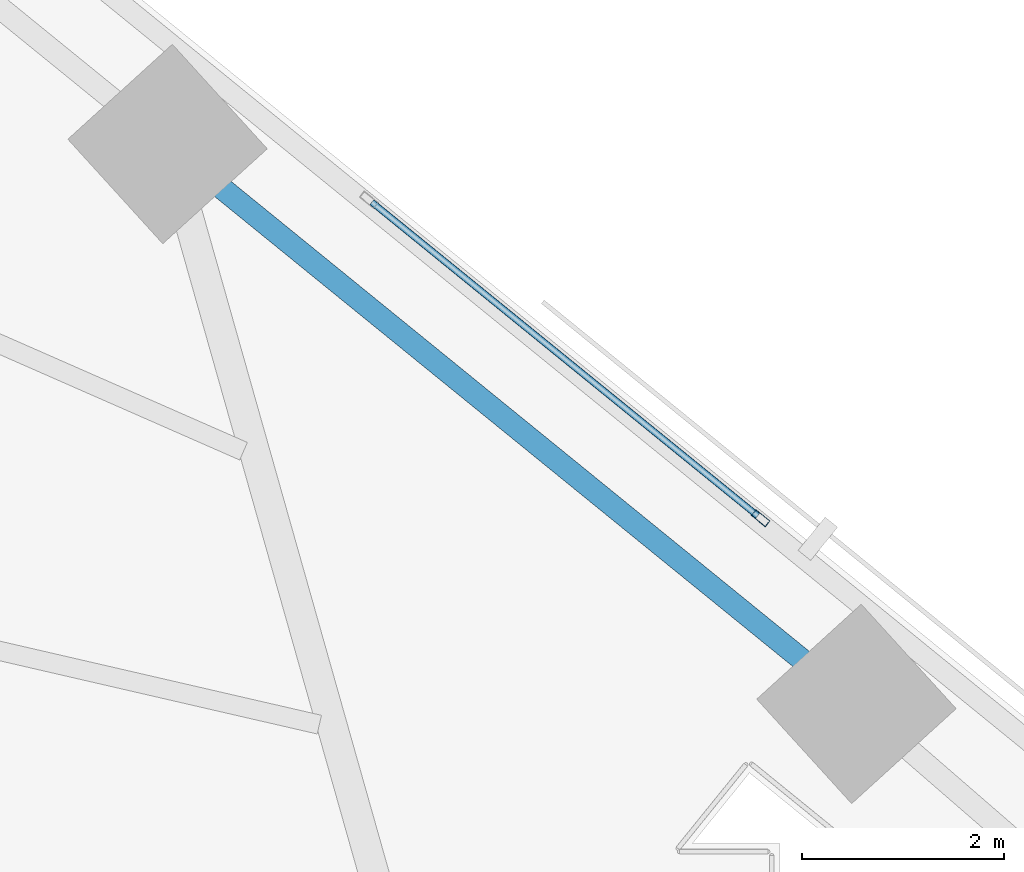
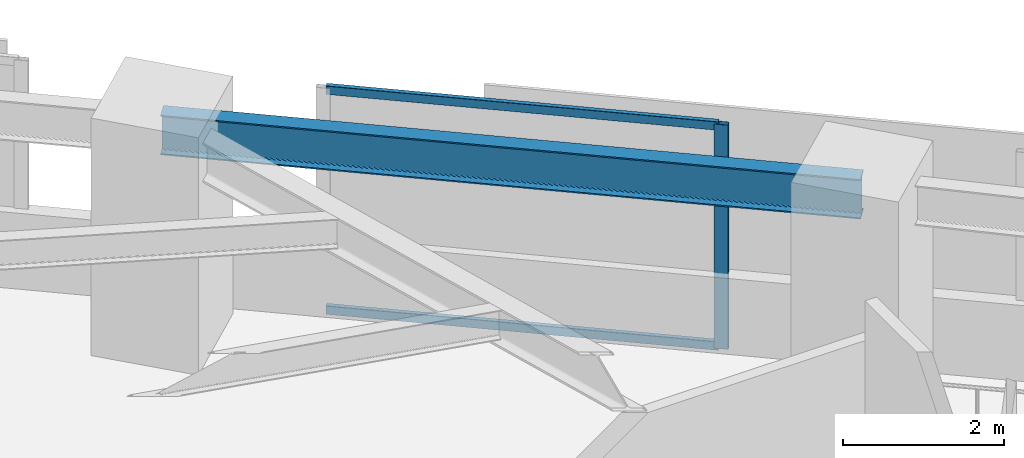
# One storey, part 11 of 17: 3 members, 1 beam, 1 element without a shape of its own.
"""IFC4 building model written with IfcOpenShell, lengths in metres."""

from ifc_helpers import new_model, si_unit, direction, frame, origin, origin_2d, place, context, subcontext, project, spatial, hollow_rectangle, i_section, extrude, material, material_profile, profile_set, type_object, element, aggregate, save


model = new_model("IFC4")

# Units and contexts
model_context = context("Model", 3, precision=1e-05, world=origin(), true_north=direction((0.0, 1.0)))
body_context = subcontext(model_context, "Body", "Model", "MODEL_VIEW")
ifc_project = project(units=[si_unit("LENGTHUNIT", "METRE"), si_unit("AREAUNIT", "SQUARE_METRE"), si_unit("VOLUMEUNIT", "CUBIC_METRE"), si_unit("PLANEANGLEUNIT", "RADIAN"), si_unit("MASSUNIT", "GRAM", prefix="KILO")], contexts=[model_context])

# Site, building, storey
site_placement = place(None, origin())
site = spatial("IfcSite", under=ifc_project, at=site_placement, CompositionType="ELEMENT")
building_placement = place(site_placement, origin())
building = spatial("IfcBuilding", under=site, at=building_placement, Name="Narakoshi Arena Tower", CompositionType="ELEMENT")
storey_placement = place(building_placement, frame((0.0, 0.0, 51.89990234375)))
storey = spatial("IfcBuildingStorey", under=building, at=storey_placement, Name="L13", CompositionType="ELEMENT", Elevation=51.89990234375)

# Beam
ifc_material_1 = material(Name="Structural steel S355J2", Category="steel")
ifc_material_profile_1 = material_profile(ifc_material_1, i_section(OverallWidth=0.219970703125, OverallDepth=0.60009765625, WebThickness=0.011962890625, FlangeThickness=0.01904296875, FilletRadius=0.02392578125, at=origin_2d()), Name="IPE600")
ifc_profile_set_1 = profile_set([ifc_material_profile_1], Name="Structural steel S355J2")
beam_type = type_object("IfcBeamType", Name="BM-EDGE-600", PredefinedType="BEAM", material=ifc_profile_set_1)
beam_placement = place(storey_placement, frame((89.459716796875, 61.28515625, 3.10009765625), z_axis=(-0.776011365227, 0.630718923958, 0.0), x_axis=(-0.630718923958, -0.776011365227, 0.0)))
element("IfcBeam", 1, at=beam_placement, inside=storey, type_object=beam_type, Name="L13 Perimeter Edge Girder 09", PredefinedType="BEAM", context=body_context, shape_type="SweptSolid", body=[
    extrude(i_section(OverallWidth=0.219970703125, OverallDepth=0.60009765625, WebThickness=0.011962890625, FlangeThickness=0.01904296875, FilletRadius=0.02392578125, at=origin_2d()), origin(), (0.0, 0.0, 1.0), 8.804931640625),
])

# Curtain wall, members
ifc_material_2 = material(Name="Anodised bronze aluminium 6063-T6", Category="aluminium")
curtain_wall_type = type_object("IfcCurtainWallType", Name="CW-HYP-LOW", PredefinedType="NOTDEFINED", material=ifc_material_2)
curtain_wall_placement = place(storey_placement, origin())
curtain_wall = element("IfcCurtainWall", 2, at=curtain_wall_placement, inside=storey, type_object=curtain_wall_type, Name="L13 Folded Hypotenuse Curtain Wall 2-2", PredefinedType="NOTDEFINED")
ifc_material_profile_2 = material_profile(ifc_material_2, hollow_rectangle(XDim=0.074951171875, YDim=0.179931640625, WallThickness=0.00390625, OuterFilletRadius=0.0048828125, at=origin_2d()), Name="MUL180x75x4")
ifc_profile_set_2 = profile_set([ifc_material_profile_2], Name="Anodised bronze aluminium 6063-T6")
member_type_1 = type_object("IfcMemberType", Name="MEM-MUL-180", PredefinedType="MULLION", material=ifc_profile_set_2)
member_1_placement = place(storey_placement, frame((88.509521484375, 63.126953125, 0.0), z_axis=(0.0, 0.0, 1.0), x_axis=(-0.630734833051, -0.775998434519, 0.0)))
member_1 = element("IfcMember", 3, at=member_1_placement, type_object=member_type_1, Name="CW-01 mullion 1", PredefinedType="MULLION", context=body_context, shape_type="SweptSolid", body=[
    extrude(hollow_rectangle(XDim=0.074951171875, YDim=0.179931640625, WallThickness=0.00390625, OuterFilletRadius=0.0048828125, at=origin_2d()), origin(), (0.0, 0.0, 1.0), 3.400146484375),
])
ifc_material_profile_3 = material_profile(ifc_material_2, hollow_rectangle(XDim=0.06494140625, YDim=0.1298828125, WallThickness=0.00390625, OuterFilletRadius=0.0048828125, at=origin_2d()), Name="TRN130x65x4")
ifc_profile_set_3 = profile_set([ifc_material_profile_3], Name="Anodised bronze aluminium 6063-T6")
member_type_2 = type_object("IfcMemberType", Name="MEM-TRN-130", PredefinedType="USERDEFINED", material=ifc_profile_set_3)
member_2_placement = place(storey_placement, frame((88.48046875, 63.150634765625, 0.03271484375), z_axis=(-0.776001951686, 0.630730505826, 0.0), x_axis=(-0.630730505826, -0.776001951686, 0.0)))
member_2 = element("IfcMember", 4, at=member_2_placement, type_object=member_type_2, Name="CW-01 transom 1.1", ObjectType="TRANSOM", PredefinedType="USERDEFINED", context=body_context, shape_type="SweptSolid", body=[
    extrude(hollow_rectangle(XDim=0.06494140625, YDim=0.1298828125, WallThickness=0.00390625, OuterFilletRadius=0.0048828125, at=origin_2d()), origin(), (0.0, 0.0, 1.0), 4.9326171875),
])
member_3_placement = place(storey_placement, frame((88.48046875, 63.150634765625, 3.36767578125), z_axis=(-0.776001951686, 0.630730505826, 0.0), x_axis=(-0.630730505826, -0.776001951686, 0.0)))
member_3 = element("IfcMember", 5, at=member_3_placement, type_object=member_type_2, Name="CW-01 transom 1.2", ObjectType="TRANSOM", PredefinedType="USERDEFINED", context=body_context, shape_type="SweptSolid", body=[
    extrude(hollow_rectangle(XDim=0.06494140625, YDim=0.1298828125, WallThickness=0.00390625, OuterFilletRadius=0.0048828125, at=origin_2d()), origin(), (0.0, 0.0, 1.0), 4.9326171875),
])
aggregate(curtain_wall, [member_1, member_2, member_3])

save(model, "model.ifc")
